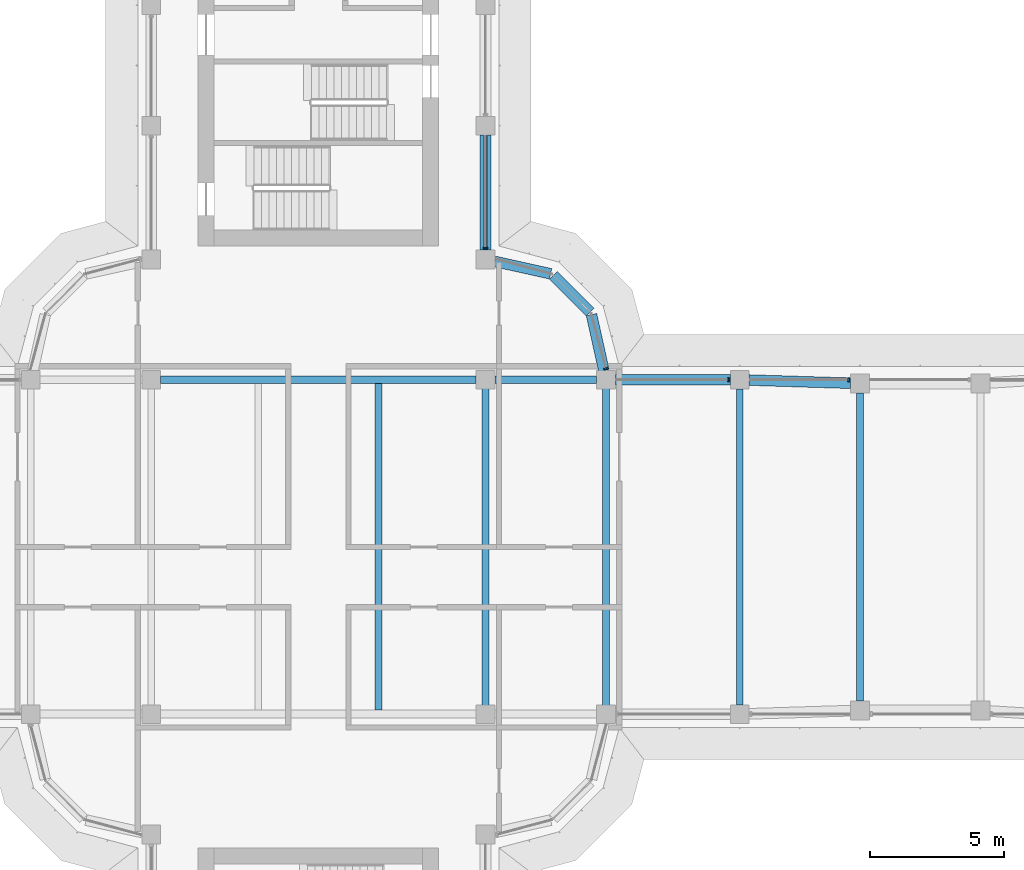
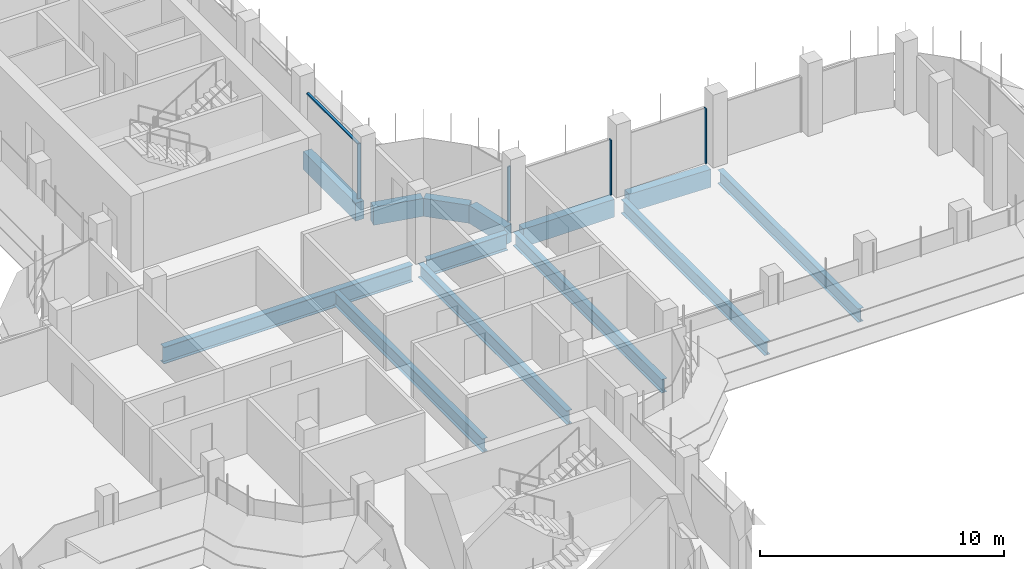
# One storey, part 8 of 19: 13 beams, 5 members, 3 elements without a shape of their own.
"""IFC4 building model written with IfcOpenShell, lengths in metres."""

from ifc_helpers import new_model, si_unit, direction, frame, origin, origin_2d, place, context, subcontext, project, spatial, polyline, rectangle, i_section, outline, extrude, source, transform, mapped, material, material_profile, profile_set, type_object, element, aggregate, save


model = new_model("IFC4")

# Units and contexts
model_context = context("Model", 3, precision=1e-05, world=origin(), true_north=direction((0.0, 1.0)))
body_context = subcontext(model_context, "Body", "Model", "MODEL_VIEW")
ifc_project = project(units=[si_unit("LENGTHUNIT", "METRE"), si_unit("AREAUNIT", "SQUARE_METRE"), si_unit("VOLUMEUNIT", "CUBIC_METRE"), si_unit("PLANEANGLEUNIT", "RADIAN"), si_unit("MASSUNIT", "GRAM", prefix="KILO")], contexts=[model_context])

# Site, building, storey
site_placement = place(None, origin())
site = spatial("IfcSite", under=ifc_project, at=site_placement, CompositionType="ELEMENT")
building_placement = place(site_placement, origin())
building = spatial("IfcBuilding", under=site, at=building_placement, Name="Zarbagh Exchange Tower", CompositionType="ELEMENT")
storey_placement = place(building_placement, frame((0.0, 0.0, 218.199951171875)))
storey = spatial("IfcBuildingStorey", under=building, at=storey_placement, Name="L53", CompositionType="ELEMENT", Elevation=218.199951171875)

# Beams
ifc_material_1 = material(Name="Steel ASTM A992 Gr 50", Category="steel")
ifc_material_profile_1 = material_profile(ifc_material_1, i_section(OverallWidth=0.25390625, OverallDepth=0.67822265625, WebThickness=0.01171875, FlangeThickness=0.016357421875, at=origin_2d()), Name="W27X84")
ifc_profile_set_1 = profile_set([ifc_material_profile_1], Name="Steel ASTM A992 Gr 50")
beam_type_1 = type_object("IfcBeamType", Name="Floor beam W27X84", PredefinedType="BEAM", material=ifc_profile_set_1)
for number, where, z_axis, x_axis, name in (
    (1, (2.25, -6.10400390625, -0.489013671875), (0.0, 1.0, 0.0), (-1.0, 0.0, 0.0), "Steel floor beam"),
    (2, (6.25, -6.10400390625, -0.489013671875), (0.0, 1.0, 0.0), (-1.0, 0.0, 0.0), "Steel floor beam"),
    (3, (10.75, -6.10400390625, -0.489013671875), (0.0, 1.0, 0.0), (-1.0, 0.0, 0.0), "Steel floor beam"),
):
    element("IfcBeam", number, at=place(storey_placement, frame(where, z_axis=z_axis, x_axis=x_axis)), inside=storey, type_object=beam_type_1, Name=name, PredefinedType="BEAM", context=body_context, shape_type="SweptSolid", body=[
        extrude(i_section(OverallWidth=0.25390625, OverallDepth=0.67822265625, WebThickness=0.01171875, FlangeThickness=0.016357421875, at=origin_2d()), origin(), (0.0, 0.0, 1.0), 12.2080078125),
    ])
beam_1_placement = place(storey_placement, frame((15.75, -5.89990234375, -0.489013671875), z_axis=(0.0, 1.0, 0.0), x_axis=(-1.0, 0.0, 0.0)))
element("IfcBeam", 4, at=beam_1_placement, inside=storey, type_object=beam_type_1, Name="Steel floor beam", PredefinedType="BEAM", context=body_context, shape_type="SweptSolid", body=[
    extrude(i_section(OverallWidth=0.25390625, OverallDepth=0.67822265625, WebThickness=0.01171875, FlangeThickness=0.016357421875, at=origin_2d()), origin(), (0.0, 0.0, 1.0), 11.7998046875),
])
beam_2_placement = place(storey_placement, frame((20.25, -5.760009765625, -0.489013671875), z_axis=(0.0, 1.0, 0.0), x_axis=(-1.0, 0.0, 0.0)))
element("IfcBeam", 5, at=beam_2_placement, inside=storey, type_object=beam_type_1, Name="Steel floor beam", PredefinedType="BEAM", context=body_context, shape_type="SweptSolid", body=[
    extrude(i_section(OverallWidth=0.25390625, OverallDepth=0.67822265625, WebThickness=0.01171875, FlangeThickness=0.016357421875, at=origin_2d()), origin(), (0.0, 0.0, 1.0), 11.52001953125),
])
ifc_material_profile_2 = material_profile(ifc_material_1, i_section(OverallWidth=0.2919921875, OverallDepth=0.835693359375, WebThickness=0.013916015625, FlangeThickness=0.018798828125, at=origin_2d()), Name="W33X118")
ifc_profile_set_2 = profile_set([ifc_material_profile_2], Name="Steel ASTM A992 Gr 50")
beam_type_2 = type_object("IfcBeamType", Name="Floor girder W33X118", PredefinedType="BEAM", material=ifc_profile_set_2)
beam_3_placement = place(storey_placement, frame((-5.89990234375, 6.25, -0.56787109375), z_axis=(1.0, 0.0, 0.0), x_axis=(0.0, 1.0, 0.0)))
element("IfcBeam", 6, at=beam_3_placement, inside=storey, type_object=beam_type_2, Name="Steel girder", PredefinedType="BEAM", context=body_context, shape_type="SweptSolid", body=[
    extrude(i_section(OverallWidth=0.2919921875, OverallDepth=0.835693359375, WebThickness=0.013916015625, FlangeThickness=0.018798828125, at=origin_2d()), origin(), (0.0, 0.0, 1.0), 11.7998046875),
])
beam_4_placement = place(storey_placement, frame((6.60009765625, 6.25, -0.56787109375), z_axis=(1.0, 0.0, 0.0), x_axis=(0.0, 1.0, 0.0)))
element("IfcBeam", 7, at=beam_4_placement, inside=storey, type_object=beam_type_2, Name="Steel girder", PredefinedType="BEAM", context=body_context, shape_type="SweptSolid", body=[
    extrude(i_section(OverallWidth=0.2919921875, OverallDepth=0.835693359375, WebThickness=0.013916015625, FlangeThickness=0.018798828125, at=origin_2d()), origin(), (0.0, 0.0, 1.0), 3.7998046875),
])
ifc_material_2 = material(Name="Concrete C50/60", Category="concrete")
ifc_material_profile_3 = material_profile(ifc_material_2, rectangle(XDim=0.39990234375, YDim=0.89990234375, at=origin_2d()), Name="RC spandrel beam 400 x 900 C50/60")
ifc_profile_set_3 = profile_set([ifc_material_profile_3], Name="Concrete C50/60")
beam_type_3 = type_object("IfcBeamType", Name="RC spandrel beam 400 x 900 C50/60", PredefinedType="SPANDREL", material=ifc_profile_set_3)
beam_5_placement = place(storey_placement, frame((6.25, 15.39990234375, -0.599853515625), z_axis=(0.0, -1.0, 0.0), x_axis=(1.0, 0.0, 0.0)))
element("IfcBeam", 8, at=beam_5_placement, inside=storey, type_object=beam_type_3, Name="RC spandrel beam", PredefinedType="SPANDREL", context=body_context, shape_type="SweptSolid", body=[
    extrude(rectangle(XDim=0.39990234375, YDim=0.89990234375, at=origin_2d()), origin(), (0.0, 0.0, 1.0), 4.2998046875),
])
beam_6_placement = place(storey_placement, frame((6.591796875, 10.67431640625, -0.599853515625), z_axis=(0.97639036545, -0.216013551096, 0.0), x_axis=(0.216013551096, 0.97639036545, 0.0)))
element("IfcBeam", 9, at=beam_6_placement, inside=storey, type_object=beam_type_3, Name="RC spandrel beam", PredefinedType="SPANDREL", context=body_context, shape_type="SweptSolid", body=[
    extrude(rectangle(XDim=0.39990234375, YDim=0.89990234375, at=origin_2d()), origin(), (0.0, 0.0, 1.0), 2.142822265625),
])
beam_7_placement = place(storey_placement, frame((8.782470703125, 10.15771484375, -0.599853515625), z_axis=(0.707106781187, -0.707106781187, 0.0), x_axis=(0.707106781187, 0.707106781187, 0.0)))
element("IfcBeam", 10, at=beam_7_placement, inside=storey, type_object=beam_type_3, Name="RC spandrel beam", PredefinedType="SPANDREL", context=body_context, shape_type="SweptSolid", body=[
    extrude(rectangle(XDim=0.39990234375, YDim=0.89990234375, at=origin_2d()), origin(), (0.0, 0.0, 1.0), 1.94482421875),
])
beam_8_placement = place(storey_placement, frame((10.21142578125, 8.68408203125, -0.599853515625), z_axis=(0.216013551096, -0.97639036545, 0.0), x_axis=(0.97639036545, 0.216013551096, 0.0)))
element("IfcBeam", 11, at=beam_8_placement, inside=storey, type_object=beam_type_3, Name="RC spandrel beam", PredefinedType="SPANDREL", context=body_context, shape_type="SweptSolid", body=[
    extrude(rectangle(XDim=0.39990234375, YDim=0.89990234375, at=origin_2d()), origin(), (0.0, 0.0, 1.0), 2.142822265625),
])
beam_9_placement = place(storey_placement, frame((11.10009765625, 6.25, -0.599853515625), z_axis=(1.0, 0.0, 0.0), x_axis=(0.0, 1.0, 0.0)))
element("IfcBeam", 12, at=beam_9_placement, inside=storey, type_object=beam_type_3, Name="RC spandrel beam", PredefinedType="SPANDREL", context=body_context, shape_type="SweptSolid", body=[
    extrude(rectangle(XDim=0.39990234375, YDim=0.89990234375, at=origin_2d()), origin(), (0.0, 0.0, 1.0), 4.2998046875),
])
beam_10_placement = place(storey_placement, frame((16.099853515625, 6.239013671875, -0.599853515625), z_axis=(0.999516950199, -0.031078389046, 0.0), x_axis=(0.031078389046, 0.999516950199, 0.0)))
element("IfcBeam", 13, at=beam_10_placement, inside=storey, type_object=beam_type_3, Name="RC spandrel beam", PredefinedType="SPANDREL", context=body_context, shape_type="SweptSolid", body=[
    extrude(rectangle(XDim=0.39990234375, YDim=0.89990234375, at=origin_2d()), origin(), (0.0, 0.0, 1.0), 3.80224609375),
])

# Curtain wall, members
ifc_material_3 = material(Name="Anodised aluminium frame and glazing", Category="aluminium")
curtain_wall_type = type_object("IfcCurtainWallType", Name="CWB Ribbon glazing, upper zones", PredefinedType="NOTDEFINED", material=ifc_material_3)
curtain_wall_1_placement = place(storey_placement, origin())
curtain_wall_1 = element("IfcCurtainWall", 14, at=curtain_wall_1_placement, inside=storey, type_object=curtain_wall_type, Name="CWB16 curtain wall", PredefinedType="NOTDEFINED")
ifc_material_4 = material(Name="Anodised aluminium frame", Category="aluminium")
member_type_1 = type_object("IfcMemberType", Name="MUB Mullion, anodised aluminium frame", PredefinedType="MULLION", material=ifc_material_4)
shared_shape_1 = source(origin(), body_context, "Body", "SweptSolid", [
    extrude(outline(polyline([(0.0, -0.080078125), (0.06005859375, -0.080078125), (0.06005859375, 0.080078125), (0.0, 0.080078125), (0.0, -0.080078125)])), origin(), (0.0, 0.0, 1.0), 2.75),
])
placement = place(storey_placement, origin())
member_1 = element("IfcMember", 15, at=placement, type_object=member_type_1, Name="CWB16 mullion 3.1", PredefinedType="MULLION", context=body_context, shape_type="MappedRepresentation", body=[
    mapped(shared_shape_1, transform((19.85986328125, 6.25, 0.0), x_axis=(-1.0, 0.0, 0.0), y_axis=(0.0, -1.0, 0.0), z_axis=(0.0, 0.0, 1.0))),
])
member_2 = element("IfcMember", 16, at=placement, type_object=member_type_1, Name="CWB16 mullion 4.1", PredefinedType="MULLION", context=body_context, shape_type="MappedRepresentation", body=[
    mapped(shared_shape_1, transform((15.35986328125, 6.25, 0.0), x_axis=(-1.0, 0.0, 0.0), y_axis=(0.0, -1.0, 0.0), z_axis=(0.0, 0.0, 1.0))),
])
aggregate(curtain_wall_1, [member_1, member_2])

# Curtain wall, member
curtain_wall_2_placement = place(storey_placement, origin())
curtain_wall_2 = element("IfcCurtainWall", 17, at=curtain_wall_2_placement, inside=storey, type_object=curtain_wall_type, Name="CWB17 curtain wall", PredefinedType="NOTDEFINED")
member_3 = element("IfcMember", 18, at=placement, type_object=member_type_1, Name="CWB17 mullion 1.1", PredefinedType="MULLION", context=body_context, shape_type="MappedRepresentation", body=[
    mapped(shared_shape_1, transform((10.76171875, 6.64013671875, 0.0), x_axis=(-0.258824779902, 0.965924289636, 0.0), y_axis=(-0.965924289636, -0.258824779902, 0.0), z_axis=(0.0, 0.0, 1.0))),
])
aggregate(curtain_wall_2, [member_3])

# Curtain wall, members
curtain_wall_3_placement = place(storey_placement, origin())
curtain_wall_3 = element("IfcCurtainWall", 19, at=curtain_wall_3_placement, inside=storey, type_object=curtain_wall_type, Name="CWB67 curtain wall", PredefinedType="NOTDEFINED")
member_4 = element("IfcMember", 20, at=placement, type_object=member_type_1, Name="CWB67 mullion 1.1", PredefinedType="MULLION", context=body_context, shape_type="MappedRepresentation", body=[
    mapped(shared_shape_1, transform((6.25, 11.14013671875, 0.0), x_axis=(0.0, 1.0, 0.0), y_axis=(-1.0, 0.0, 0.0), z_axis=(0.0, 0.0, 1.0))),
])
member_type_2 = type_object("IfcMemberType", Name="TRB Transom, anodised aluminium frame", PredefinedType="USERDEFINED", material=ifc_material_4)
shared_shape_2 = source(origin(), body_context, "Body", "SweptSolid", [
    extrude(outline(polyline([(-0.06005859375, -0.06005859375), (0.0, -0.06005859375), (0.0, 0.06005859375), (-0.06005859375, 0.06005859375), (-0.06005859375, -0.06005859375)])), origin(), (0.0, 0.0, 1.0), 4.159912109375),
])
member_5 = element("IfcMember", 21, at=placement, type_object=member_type_2, Name="CWB67 transom 1.1", ObjectType="TRANSOM", PredefinedType="USERDEFINED", context=body_context, shape_type="MappedRepresentation", body=[
    mapped(shared_shape_2, transform((6.25, 11.199951171875, 2.75), x_axis=(0.0, 0.0, 1.0), y_axis=(1.0, 0.0, 0.0), z_axis=(0.0, 1.0, 0.0))),
])
aggregate(curtain_wall_3, [member_4, member_5])

save(model, "model.ifc")
